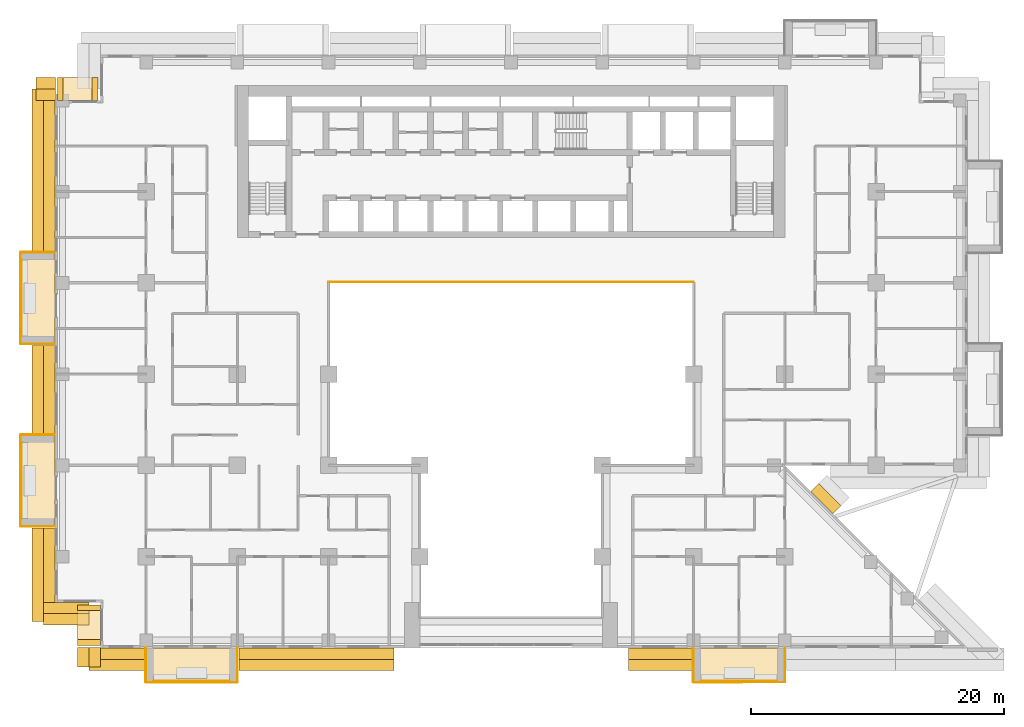
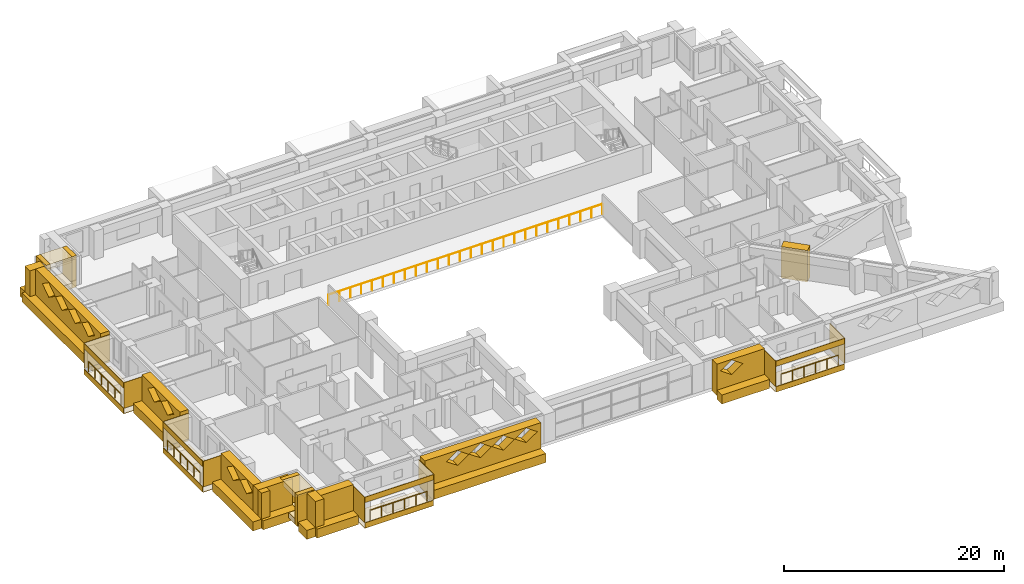
# One storey, part 14 of 17: 47 coverings, 5 railings.
"""IFC4 building model written with IfcOpenShell, lengths in metres."""

from ifc_helpers import new_model, si_unit, direction, frame, origin, origin_2d, place, context, subcontext, project, spatial, polyline, circle, outline, extrude, material, layer, layer_set, type_object, element, save


model = new_model("IFC4")

# Units and contexts
model_context = context("Model", 3, precision=1e-05, world=origin(), true_north=direction((0.0, 1.0)))
body_context = subcontext(model_context, "Body", "Model", "MODEL_VIEW")
ifc_project = project(units=[si_unit("LENGTHUNIT", "METRE"), si_unit("AREAUNIT", "SQUARE_METRE"), si_unit("VOLUMEUNIT", "CUBIC_METRE"), si_unit("PLANEANGLEUNIT", "RADIAN"), si_unit("MASSUNIT", "GRAM", prefix="KILO")], contexts=[model_context])

# Site, building, storey
site_placement = place(None, origin())
site = spatial("IfcSite", under=ifc_project, at=site_placement, CompositionType="ELEMENT")
building_placement = place(site_placement, origin())
building = spatial("IfcBuilding", under=site, at=building_placement, Name="Saffron Iwan Residences", CompositionType="ELEMENT")
storey_placement = place(building_placement, frame((0.0, 0.0, 72.5)))
storey = spatial("IfcBuildingStorey", under=building, at=storey_placement, Name="L18", CompositionType="ELEMENT", Elevation=72.5)

# Railings
ifc_material_1 = material(Name="Stainless steel 316", Category="steel")
railing_type_1 = type_object("IfcRailingType", Name="Atrium guard 1150", PredefinedType="GUARDRAIL", material=ifc_material_1)
railing_placement = place(storey_placement, frame((36.0, 62.47509765625, 0.0)))
element("IfcRailing", 1, at=railing_placement, inside=storey, type_object=railing_type_1, Name="Atrium guard L18", PredefinedType="GUARDRAIL", context=body_context, shape_type="SweptSolid", body=[
    extrude(circle(Radius=0.02392578125, at=origin_2d()), frame((0.0, 0.0, 1.1259765625), z_axis=(1.0, 0.0, 0.0), x_axis=(0.0, 1.0, 0.0)), (0.0, 0.0, 1.0), 28.800048828125),
    extrude(circle(Radius=0.02099609375, at=origin_2d()), origin(), (0.0, 0.0, 1.0), 1.101806640625),
    extrude(circle(Radius=0.02099609375, at=origin_2d()), frame((1.152099609375, 0.0, 0.0)), (0.0, 0.0, 1.0), 1.101806640625),
    extrude(circle(Radius=0.02099609375, at=origin_2d()), frame((2.303955078125, 0.0, 0.0)), (0.0, 0.0, 1.0), 1.101806640625),
    extrude(circle(Radius=0.02099609375, at=origin_2d()), frame((3.4560546875, 0.0, 0.0)), (0.0, 0.0, 1.0), 1.101806640625),
    extrude(circle(Radius=0.02099609375, at=origin_2d()), frame((4.60791015625, 0.0, 0.0)), (0.0, 0.0, 1.0), 1.101806640625),
    extrude(circle(Radius=0.02099609375, at=origin_2d()), frame((5.760009765625, 0.0, 0.0)), (0.0, 0.0, 1.0), 1.101806640625),
    extrude(circle(Radius=0.02099609375, at=origin_2d()), frame((6.912109375, 0.0, 0.0)), (0.0, 0.0, 1.0), 1.101806640625),
    extrude(circle(Radius=0.02099609375, at=origin_2d()), frame((8.06396484375, 0.0, 0.0)), (0.0, 0.0, 1.0), 1.101806640625),
    extrude(circle(Radius=0.02099609375, at=origin_2d()), frame((9.216064453125, 0.0, 0.0)), (0.0, 0.0, 1.0), 1.101806640625),
    extrude(circle(Radius=0.02099609375, at=origin_2d()), frame((10.367919921875, 0.0, 0.0)), (0.0, 0.0, 1.0), 1.101806640625),
    extrude(circle(Radius=0.02099609375, at=origin_2d()), frame((11.52001953125, 0.0, 0.0)), (0.0, 0.0, 1.0), 1.101806640625),
    extrude(circle(Radius=0.02099609375, at=origin_2d()), frame((12.672119140625, 0.0, 0.0)), (0.0, 0.0, 1.0), 1.101806640625),
    extrude(circle(Radius=0.02099609375, at=origin_2d()), frame((13.823974609375, 0.0, 0.0)), (0.0, 0.0, 1.0), 1.101806640625),
    extrude(circle(Radius=0.02099609375, at=origin_2d()), frame((14.97607421875, 0.0, 0.0)), (0.0, 0.0, 1.0), 1.101806640625),
    extrude(circle(Radius=0.02099609375, at=origin_2d()), frame((16.1279296875, 0.0, 0.0)), (0.0, 0.0, 1.0), 1.101806640625),
    extrude(circle(Radius=0.02099609375, at=origin_2d()), frame((17.280029296875, 0.0, 0.0)), (0.0, 0.0, 1.0), 1.101806640625),
    extrude(circle(Radius=0.02099609375, at=origin_2d()), frame((18.43212890625, 0.0, 0.0)), (0.0, 0.0, 1.0), 1.101806640625),
    extrude(circle(Radius=0.02099609375, at=origin_2d()), frame((19.583984375, 0.0, 0.0)), (0.0, 0.0, 1.0), 1.101806640625),
    extrude(circle(Radius=0.02099609375, at=origin_2d()), frame((20.736083984375, 0.0, 0.0)), (0.0, 0.0, 1.0), 1.101806640625),
    extrude(circle(Radius=0.02099609375, at=origin_2d()), frame((21.887939453125, 0.0, 0.0)), (0.0, 0.0, 1.0), 1.101806640625),
    extrude(circle(Radius=0.02099609375, at=origin_2d()), frame((23.0400390625, 0.0, 0.0)), (0.0, 0.0, 1.0), 1.101806640625),
    extrude(circle(Radius=0.02099609375, at=origin_2d()), frame((24.192138671875, 0.0, 0.0)), (0.0, 0.0, 1.0), 1.101806640625),
    extrude(circle(Radius=0.02099609375, at=origin_2d()), frame((25.343994140625, 0.0, 0.0)), (0.0, 0.0, 1.0), 1.101806640625),
    extrude(circle(Radius=0.02099609375, at=origin_2d()), frame((26.49609375, 0.0, 0.0)), (0.0, 0.0, 1.0), 1.101806640625),
    extrude(circle(Radius=0.02099609375, at=origin_2d()), frame((27.64794921875, 0.0, 0.0)), (0.0, 0.0, 1.0), 1.101806640625),
    extrude(circle(Radius=0.02099609375, at=origin_2d()), frame((28.800048828125, 0.0, 0.0)), (0.0, 0.0, 1.0), 1.101806640625),
])
railing_type_2 = type_object("IfcRailingType", Name="BALCONY GUARD 1150", PredefinedType="GUARDRAIL", material=ifc_material_1)
for number, where, name in (
    (2, (11.77490234375, 64.199951171875, 0.0), "Balcony guard L18 F8-0"),
    (3, (11.77490234375, 49.800048828125, 0.0), "Balcony guard L18 F8-1"),
):
    element("IfcRailing", number, at=place(storey_placement, frame(where)), inside=storey, type_object=railing_type_2, Name=name, PredefinedType="GUARDRAIL", context=body_context, shape_type="SweptSolid", body=[
        extrude(circle(Radius=0.02392578125, at=origin_2d()), frame((0.0, 0.0, 1.1259765625), z_axis=(0.0, -1.0, 0.0), x_axis=(1.0, 0.0, 0.0)), (0.0, 0.0, 1.0), 6.0),
        extrude(circle(Radius=0.02099609375, at=origin_2d()), origin(), (0.0, 0.0, 1.0), 1.101806640625),
        extrude(circle(Radius=0.02099609375, at=origin_2d()), frame((0.0, -1.199951171875, 0.0)), (0.0, 0.0, 1.0), 1.101806640625),
        extrude(circle(Radius=0.02099609375, at=origin_2d()), frame((0.0, -2.39990234375, 0.0)), (0.0, 0.0, 1.0), 1.101806640625),
        extrude(circle(Radius=0.02099609375, at=origin_2d()), frame((0.0, -3.60009765625, 0.0)), (0.0, 0.0, 1.0), 1.101806640625),
        extrude(circle(Radius=0.02099609375, at=origin_2d()), frame((0.0, -4.800048828125, 0.0)), (0.0, 0.0, 1.0), 1.101806640625),
        extrude(circle(Radius=0.02099609375, at=origin_2d()), frame((0.0, -6.0, 0.0)), (0.0, 0.0, 1.0), 1.101806640625),
    ])
for number, where, name in (
    (4, (22.199951171875, 30.97509765625, 0.0), "Balcony guard L18 11-0"),
    (5, (65.39990234375, 30.97509765625, 0.0), "Balcony guard L18 11-1"),
):
    element("IfcRailing", number, at=place(storey_placement, frame(where)), inside=storey, type_object=railing_type_2, Name=name, PredefinedType="GUARDRAIL", context=body_context, shape_type="SweptSolid", body=[
        extrude(circle(Radius=0.02392578125, at=origin_2d()), frame((0.0, 0.0, 1.1259765625), z_axis=(1.0, 0.0, 0.0), x_axis=(0.0, 1.0, 0.0)), (0.0, 0.0, 1.0), 6.0),
        extrude(circle(Radius=0.02099609375, at=origin_2d()), origin(), (0.0, 0.0, 1.0), 1.101806640625),
        extrude(circle(Radius=0.02099609375, at=origin_2d()), frame((1.199951171875, 0.0, 0.0)), (0.0, 0.0, 1.0), 1.101806640625),
        extrude(circle(Radius=0.02099609375, at=origin_2d()), frame((2.39990234375, 0.0, 0.0)), (0.0, 0.0, 1.0), 1.101806640625),
        extrude(circle(Radius=0.02099609375, at=origin_2d()), frame((3.60009765625, 0.0, 0.0)), (0.0, 0.0, 1.0), 1.101806640625),
        extrude(circle(Radius=0.02099609375, at=origin_2d()), frame((4.800048828125, 0.0, 0.0)), (0.0, 0.0, 1.0), 1.101806640625),
        extrude(circle(Radius=0.02099609375, at=origin_2d()), frame((6.0, 0.0, 0.0)), (0.0, 0.0, 1.0), 1.101806640625),
    ])

# Coverings
ifc_material_2 = material(Name="Precast concrete C40/50 white painted", Category="concrete")
ifc_layer_1 = layer(ifc_material_2, 0.050048828125)
ifc_layer_set_1 = layer_set([ifc_layer_1], Name="Precast concrete C40/50 white painted")
covering_type_1 = type_object("IfcCoveringType", Name="FRAME SKIN PRECAST WHITE 50", PredefinedType="CLADDING", material=ifc_layer_set_1)
for number, where, name in (
    (6, (0.0, 0.0, -0.60009765625), "Frame skin slab edge L18 F8-0"),
    (7, (0.0, 0.0, 2.25), "Frame skin fascia L18 F8-0"),
):
    element("IfcCovering", number, at=place(storey_placement, frame(where)), inside=storey, type_object=covering_type_1, Name=name, PredefinedType="CLADDING", context=body_context, shape_type="SweptSolid", body=[
        extrude(outline(polyline([(11.64990234375, 64.800048828125), (11.64990234375, 57.60009765625), (11.699951171875, 57.60009765625), (11.699951171875, 64.800048828125), (11.64990234375, 64.800048828125)])), origin(), (0.0, 0.0, 1.0), 0.60009765625),
    ])
covering_1_placement = place(storey_placement, frame((0.0, 0.0, -0.64990234375)))
element("IfcCovering", 8, at=covering_1_placement, inside=storey, type_object=covering_type_1, Name="Frame skin soffit L18 F8-0", PredefinedType="CLADDING", context=body_context, shape_type="SweptSolid", body=[
    extrude(outline(polyline([(11.699951171875, 64.800048828125), (11.699951171875, 57.60009765625), (14.39990234375, 57.60009765625), (14.39990234375, 64.800048828125), (11.699951171875, 64.800048828125)])), origin(), (0.0, 0.0, 1.0), 0.0498046875),
])
covering_2_placement = place(storey_placement, origin())
element("IfcCovering", 9, at=covering_2_placement, inside=storey, type_object=covering_type_1, Name="Frame skin fin L18 F8-0a", PredefinedType="CLADDING", context=body_context, shape_type="SweptSolid", body=[
    extrude(outline(polyline([(11.699951171875, 64.85009765625), (11.699951171875, 64.800048828125), (14.39990234375, 64.800048828125), (14.39990234375, 64.85009765625), (11.699951171875, 64.85009765625)])), origin(), (0.0, 0.0, 1.0), 2.85009765625),
])
covering_3_placement = place(storey_placement, origin())
element("IfcCovering", 10, at=covering_3_placement, inside=storey, type_object=covering_type_1, Name="Frame skin fin L18 F8-0b", PredefinedType="CLADDING", context=body_context, shape_type="SweptSolid", body=[
    extrude(outline(polyline([(11.699951171875, 57.60009765625), (11.699951171875, 57.550048828125), (14.39990234375, 57.550048828125), (14.39990234375, 57.60009765625), (11.699951171875, 57.60009765625)])), origin(), (0.0, 0.0, 1.0), 2.85009765625),
])
for number, where, name in (
    (11, (0.0, 0.0, -0.60009765625), "Frame skin slab edge L18 F8-1"),
    (12, (0.0, 0.0, 2.25), "Frame skin fascia L18 F8-1"),
):
    element("IfcCovering", number, at=place(storey_placement, frame(where)), inside=storey, type_object=covering_type_1, Name=name, PredefinedType="CLADDING", context=body_context, shape_type="SweptSolid", body=[
        extrude(outline(polyline([(11.64990234375, 50.39990234375), (11.64990234375, 43.199951171875), (11.699951171875, 43.199951171875), (11.699951171875, 50.39990234375), (11.64990234375, 50.39990234375)])), origin(), (0.0, 0.0, 1.0), 0.60009765625),
    ])
covering_4_placement = place(storey_placement, frame((0.0, 0.0, -0.64990234375)))
element("IfcCovering", 13, at=covering_4_placement, inside=storey, type_object=covering_type_1, Name="Frame skin soffit L18 F8-1", PredefinedType="CLADDING", context=body_context, shape_type="SweptSolid", body=[
    extrude(outline(polyline([(11.699951171875, 50.39990234375), (11.699951171875, 43.199951171875), (14.39990234375, 43.199951171875), (14.39990234375, 50.39990234375), (11.699951171875, 50.39990234375)])), origin(), (0.0, 0.0, 1.0), 0.0498046875),
])
covering_5_placement = place(storey_placement, origin())
element("IfcCovering", 14, at=covering_5_placement, inside=storey, type_object=covering_type_1, Name="Frame skin fin L18 F8-1a", PredefinedType="CLADDING", context=body_context, shape_type="SweptSolid", body=[
    extrude(outline(polyline([(11.699951171875, 50.449951171875), (11.699951171875, 50.39990234375), (14.39990234375, 50.39990234375), (14.39990234375, 50.449951171875), (11.699951171875, 50.449951171875)])), origin(), (0.0, 0.0, 1.0), 2.85009765625),
])
covering_6_placement = place(storey_placement, origin())
element("IfcCovering", 15, at=covering_6_placement, inside=storey, type_object=covering_type_1, Name="Frame skin fin L18 F8-1b", PredefinedType="CLADDING", context=body_context, shape_type="SweptSolid", body=[
    extrude(outline(polyline([(11.699951171875, 43.199951171875), (11.699951171875, 43.14990234375), (14.39990234375, 43.14990234375), (14.39990234375, 43.199951171875), (11.699951171875, 43.199951171875)])), origin(), (0.0, 0.0, 1.0), 2.85009765625),
])
for number, where, name in (
    (16, (0.0, 0.0, -0.60009765625), "Frame skin slab edge L18 11-0"),
    (17, (0.0, 0.0, 2.25), "Frame skin fascia L18 11-0"),
):
    element("IfcCovering", number, at=place(storey_placement, frame(where)), inside=storey, type_object=covering_type_1, Name=name, PredefinedType="CLADDING", context=body_context, shape_type="SweptSolid", body=[
        extrude(outline(polyline([(21.60009765625, 30.85009765625), (28.800048828125, 30.85009765625), (28.800048828125, 30.89990234375), (21.60009765625, 30.89990234375), (21.60009765625, 30.85009765625)])), origin(), (0.0, 0.0, 1.0), 0.60009765625),
    ])
covering_7_placement = place(storey_placement, frame((0.0, 0.0, -0.64990234375)))
element("IfcCovering", 18, at=covering_7_placement, inside=storey, type_object=covering_type_1, Name="Frame skin soffit L18 11-0", PredefinedType="CLADDING", context=body_context, shape_type="SweptSolid", body=[
    extrude(outline(polyline([(21.60009765625, 30.89990234375), (28.800048828125, 30.89990234375), (28.800048828125, 33.60009765625), (21.60009765625, 33.60009765625), (21.60009765625, 30.89990234375)])), origin(), (0.0, 0.0, 1.0), 0.0498046875),
])
covering_8_placement = place(storey_placement, origin())
element("IfcCovering", 19, at=covering_8_placement, inside=storey, type_object=covering_type_1, Name="Frame skin fin L18 11-0a", PredefinedType="CLADDING", context=body_context, shape_type="SweptSolid", body=[
    extrude(outline(polyline([(21.550048828125, 30.89990234375), (21.60009765625, 30.89990234375), (21.60009765625, 33.60009765625), (21.550048828125, 33.60009765625), (21.550048828125, 30.89990234375)])), origin(), (0.0, 0.0, 1.0), 2.85009765625),
])
covering_9_placement = place(storey_placement, origin())
element("IfcCovering", 20, at=covering_9_placement, inside=storey, type_object=covering_type_1, Name="Frame skin fin L18 11-0b", PredefinedType="CLADDING", context=body_context, shape_type="SweptSolid", body=[
    extrude(outline(polyline([(28.800048828125, 30.89990234375), (28.85009765625, 30.89990234375), (28.85009765625, 33.60009765625), (28.800048828125, 33.60009765625), (28.800048828125, 30.89990234375)])), origin(), (0.0, 0.0, 1.0), 2.85009765625),
])
for number, where, name in (
    (21, (0.0, 0.0, -0.60009765625), "Frame skin slab edge L18 11-1"),
    (22, (0.0, 0.0, 2.25), "Frame skin fascia L18 11-1"),
):
    element("IfcCovering", number, at=place(storey_placement, frame(where)), inside=storey, type_object=covering_type_1, Name=name, PredefinedType="CLADDING", context=body_context, shape_type="SweptSolid", body=[
        extrude(outline(polyline([(64.800048828125, 30.85009765625), (72.0, 30.85009765625), (72.0, 30.89990234375), (64.800048828125, 30.89990234375), (64.800048828125, 30.85009765625)])), origin(), (0.0, 0.0, 1.0), 0.60009765625),
    ])
covering_10_placement = place(storey_placement, frame((0.0, 0.0, -0.64990234375)))
element("IfcCovering", 23, at=covering_10_placement, inside=storey, type_object=covering_type_1, Name="Frame skin soffit L18 11-1", PredefinedType="CLADDING", context=body_context, shape_type="SweptSolid", body=[
    extrude(outline(polyline([(64.800048828125, 30.89990234375), (72.0, 30.89990234375), (72.0, 33.60009765625), (64.800048828125, 33.60009765625), (64.800048828125, 30.89990234375)])), origin(), (0.0, 0.0, 1.0), 0.0498046875),
])
covering_11_placement = place(storey_placement, origin())
element("IfcCovering", 24, at=covering_11_placement, inside=storey, type_object=covering_type_1, Name="Frame skin fin L18 11-1a", PredefinedType="CLADDING", context=body_context, shape_type="SweptSolid", body=[
    extrude(outline(polyline([(64.75, 30.89990234375), (64.800048828125, 30.89990234375), (64.800048828125, 33.60009765625), (64.75, 33.60009765625), (64.75, 30.89990234375)])), origin(), (0.0, 0.0, 1.0), 2.85009765625),
])
covering_12_placement = place(storey_placement, origin())
element("IfcCovering", 25, at=covering_12_placement, inside=storey, type_object=covering_type_1, Name="Frame skin fin L18 11-1b", PredefinedType="CLADDING", context=body_context, shape_type="SweptSolid", body=[
    extrude(outline(polyline([(72.0, 30.89990234375), (72.050048828125, 30.89990234375), (72.050048828125, 33.60009765625), (72.0, 33.60009765625), (72.0, 30.89990234375)])), origin(), (0.0, 0.0, 1.0), 2.85009765625),
])
ifc_material_3 = material(Name="Precast concrete C40/50", Category="concrete")
covering_type_2 = type_object("IfcCoveringType", Name="OUTER SKIN LATTICE SCREEN", PredefinedType="CLADDING", material=ifc_material_3)
covering_13_placement = place(storey_placement, frame((75.805908203125, 44.194091796875, -0.320068359375), z_axis=(0.707106781187, 0.707106781187, 0.0), x_axis=(-0.707106781187, 0.707106781187, 0.0)))
element("IfcCovering", 26, at=covering_13_placement, inside=storey, type_object=covering_type_2, Name="OUTER SKIN lattice screen L18 F0.1", PredefinedType="CLADDING", context=body_context, shape_type="SweptSolid", body=[
    extrude(outline(polyline([(0.0, 0.0), (2.4853515625, 0.0), (2.4853515625, 3.5), (0.0, 3.5), (0.0, 0.0)])), origin(), (0.0, 0.0, 1.0), 0.900146484375),
])
covering_14_placement = place(storey_placement, frame((14.449951171875, 76.800048828125, -0.320068359375), z_axis=(0.0, 1.0, 0.0), x_axis=(-1.0, 0.0, 0.0)))
element("IfcCovering", 27, at=covering_14_placement, inside=storey, type_object=covering_type_2, Name="OUTER SKIN lattice screen L18 F7.0", PredefinedType="CLADDING", context=body_context, shape_type="SweptSolid", body=[
    extrude(outline(polyline([(0.0, 0.0), (1.550048828125, 0.0), (1.550048828125, 3.5), (0.0, 3.5), (0.0, 0.0)])), origin(), (0.0, 0.0, 1.0), 0.89990234375),
])
covering_15_placement = place(storey_placement, frame((14.39990234375, 77.699951171875, -0.320068359375), z_axis=(-1.0, 0.0, 0.0), x_axis=(0.0, -1.0, 0.0)))
element("IfcCovering", 28, at=covering_15_placement, inside=storey, type_object=covering_type_2, Name="OUTER SKIN lattice screen L18 F8.0", PredefinedType="CLADDING", context=body_context, shape_type="SweptSolid", body=[
    extrude(outline(polyline([(0.0, 0.0), (12.75, 0.0), (12.75, 3.5), (0.0, 3.5), (0.0, 0.0)]), holes=[polyline([(2.1201171875, 2.625), (3.300048828125, 1.81005859375), (4.47998046875, 2.625), (3.300048828125, 3.43994140625), (2.1201171875, 2.625)]), polyline([(4.52001953125, 2.625), (5.699951171875, 1.81005859375), (6.8798828125, 2.625), (5.699951171875, 3.43994140625), (4.52001953125, 2.625)]), polyline([(6.919921875, 2.625), (8.10009765625, 1.81005859375), (9.280029296875, 2.625), (8.10009765625, 3.43994140625), (6.919921875, 2.625)]), polyline([(9.320068359375, 2.625), (10.5, 1.81005859375), (11.679931640625, 2.625), (10.5, 3.43994140625), (9.320068359375, 2.625)])]), origin(), (0.0, 0.0, 1.0), 0.89990234375),
])
covering_16_placement = place(storey_placement, frame((14.39990234375, 57.449951171875, -0.320068359375), z_axis=(-1.0, 0.0, 0.0), x_axis=(0.0, -1.0, 0.0)))
element("IfcCovering", 29, at=covering_16_placement, inside=storey, type_object=covering_type_2, Name="OUTER SKIN lattice screen L18 F8.1", PredefinedType="CLADDING", context=body_context, shape_type="SweptSolid", body=[
    extrude(outline(polyline([(0.0, 0.0), (6.89990234375, 0.0), (6.89990234375, 3.5), (0.0, 3.5), (0.0, 0.0)]), holes=[polyline([(1.070068359375, 2.625), (2.25, 1.81005859375), (3.429931640625, 2.625), (2.25, 3.43994140625), (1.070068359375, 2.625)]), polyline([(3.469970703125, 2.625), (4.64990234375, 1.81005859375), (5.830078125, 2.625), (4.64990234375, 3.43994140625), (3.469970703125, 2.625)])]), origin(), (0.0, 0.0, 1.0), 0.89990234375),
])
covering_17_placement = place(storey_placement, frame((14.39990234375, 43.050048828125, -0.320068359375), z_axis=(-1.0, 0.0, 0.0), x_axis=(0.0, -1.0, 0.0)))
element("IfcCovering", 30, at=covering_17_placement, inside=storey, type_object=covering_type_2, Name="OUTER SKIN lattice screen L18 F8.2", PredefinedType="CLADDING", context=body_context, shape_type="SweptSolid", body=[
    extrude(outline(polyline([(0.0, 0.0), (7.35009765625, 0.0), (7.35009765625, 3.5), (0.0, 3.5), (0.0, 0.0)]), holes=[polyline([(1.070068359375, 2.625), (2.25, 1.81005859375), (3.429931640625, 2.625), (2.25, 3.43994140625), (1.070068359375, 2.625)]), polyline([(3.469970703125, 2.625), (4.64990234375, 1.81005859375), (5.830078125, 2.625), (4.64990234375, 3.43994140625), (3.469970703125, 2.625)])]), origin(), (0.0, 0.0, 1.0), 0.89990234375),
])
covering_18_placement = place(storey_placement, frame((13.5, 37.199951171875, -0.320068359375), z_axis=(0.0, -1.0, 0.0), x_axis=(1.0, 0.0, 0.0)))
element("IfcCovering", 31, at=covering_18_placement, inside=storey, type_object=covering_type_2, Name="OUTER SKIN lattice screen L18 F9.0", PredefinedType="CLADDING", context=body_context, shape_type="SweptSolid", body=[
    extrude(outline(polyline([(0.0, 0.0), (3.60009765625, 0.0), (3.60009765625, 3.5), (0.0, 3.5), (0.0, 0.0)])), origin(), (0.0, 0.0, 1.0), 0.89990234375),
])
covering_19_placement = place(storey_placement, frame((18.0, 33.64990234375, -0.320068359375), z_axis=(-1.0, 0.0, 0.0), x_axis=(0.0, -1.0, 0.0)))
element("IfcCovering", 32, at=covering_19_placement, inside=storey, type_object=covering_type_2, Name="OUTER SKIN lattice screen L18 F10.0", PredefinedType="CLADDING", context=body_context, shape_type="SweptSolid", body=[
    extrude(outline(polyline([(0.0, 0.0), (1.550048828125, 0.0), (1.550048828125, 3.5), (0.0, 3.5), (0.0, 0.0)])), origin(), (0.0, 0.0, 1.0), 0.89990234375),
])
covering_20_placement = place(storey_placement, frame((17.10009765625, 33.60009765625, -0.320068359375), z_axis=(0.0, -1.0, 0.0), x_axis=(1.0, 0.0, 0.0)))
element("IfcCovering", 33, at=covering_20_placement, inside=storey, type_object=covering_type_2, Name="OUTER SKIN lattice screen L18 F11.0", PredefinedType="CLADDING", context=body_context, shape_type="SweptSolid", body=[
    extrude(outline(polyline([(0.0, 0.0), (4.35009765625, 0.0), (4.35009765625, 3.5), (0.0, 3.5), (0.0, 0.0)])), origin(), (0.0, 0.0, 1.0), 0.900146484375),
])
covering_21_placement = place(storey_placement, frame((28.949951171875, 33.60009765625, -0.320068359375), z_axis=(0.0, -1.0, 0.0), x_axis=(1.0, 0.0, 0.0)))
element("IfcCovering", 34, at=covering_21_placement, inside=storey, type_object=covering_type_2, Name="OUTER SKIN lattice screen L18 F11.1", PredefinedType="CLADDING", context=body_context, shape_type="SweptSolid", body=[
    extrude(outline(polyline([(0.0, 0.0), (12.199951171875, 0.0), (12.199951171875, 3.5), (0.0, 3.5), (0.0, 0.0)]), holes=[polyline([(2.27001953125, 2.625), (3.449951171875, 1.81005859375), (4.6298828125, 2.625), (3.449951171875, 3.43994140625), (2.27001953125, 2.625)]), polyline([(4.669921875, 2.625), (5.85009765625, 1.81005859375), (7.030029296875, 2.625), (5.85009765625, 3.43994140625), (4.669921875, 2.625)]), polyline([(7.070068359375, 2.625), (8.25, 1.81005859375), (9.429931640625, 2.625), (8.25, 3.43994140625), (7.070068359375, 2.625)]), polyline([(9.469970703125, 2.625), (10.64990234375, 1.81005859375), (11.830078125, 2.625), (10.64990234375, 3.43994140625), (9.469970703125, 2.625)])]), origin(), (0.0, 0.0, 1.0), 0.900146484375),
])
covering_22_placement = place(storey_placement, frame((59.64990234375, 33.60009765625, -0.320068359375), z_axis=(0.0, -1.0, 0.0), x_axis=(1.0, 0.0, 0.0)))
element("IfcCovering", 35, at=covering_22_placement, inside=storey, type_object=covering_type_2, Name="OUTER SKIN lattice screen L18 F11.2", PredefinedType="CLADDING", context=body_context, shape_type="SweptSolid", body=[
    extrude(outline(polyline([(0.0, 0.0), (5.0, 0.0), (5.0, 3.5), (0.0, 3.5), (0.0, 0.0)]), holes=[polyline([(0.3701171875, 2.625), (1.550048828125, 1.81005859375), (2.72998046875, 2.625), (1.550048828125, 3.43994140625), (0.3701171875, 2.625)])]), origin(), (0.0, 0.0, 1.0), 0.900146484375),
])
ifc_layer_2 = layer(ifc_material_2, 0.89990234375)
ifc_layer_set_2 = layer_set([ifc_layer_2], Name="Precast concrete C40/50 white painted")
covering_type_3 = type_object("IfcCoveringType", Name="WHITE EDGE BAND 900 x 1000", PredefinedType="CLADDING", material=ifc_layer_set_2)
covering_23_placement = place(storey_placement, frame((0.0, 0.0, -0.699951171875)))
element("IfcCovering", 36, at=covering_23_placement, inside=storey, type_object=covering_type_3, Name="White edge band L18 F7.0", PredefinedType="CLADDING", context=body_context, shape_type="SweptSolid", body=[
    extrude(outline(polyline([(14.449951171875, 78.60009765625), (12.89990234375, 78.60009765625), (12.89990234375, 77.699951171875), (14.449951171875, 77.699951171875), (14.449951171875, 78.60009765625)])), origin(), (0.0, 0.0, 1.0), 1.0),
])
covering_24_placement = place(storey_placement, frame((0.0, 0.0, -0.699951171875)))
element("IfcCovering", 37, at=covering_24_placement, inside=storey, type_object=covering_type_3, Name="White edge band L18 F8.0", PredefinedType="CLADDING", context=body_context, shape_type="SweptSolid", body=[
    extrude(outline(polyline([(12.60009765625, 77.699951171875), (12.60009765625, 64.949951171875), (13.5, 64.949951171875), (13.5, 77.699951171875), (12.60009765625, 77.699951171875)])), origin(), (0.0, 0.0, 1.0), 1.0),
])
covering_25_placement = place(storey_placement, frame((0.0, 0.0, -0.699951171875)))
element("IfcCovering", 38, at=covering_25_placement, inside=storey, type_object=covering_type_3, Name="White edge band L18 F8.1", PredefinedType="CLADDING", context=body_context, shape_type="SweptSolid", body=[
    extrude(outline(polyline([(12.60009765625, 57.449951171875), (12.60009765625, 50.550048828125), (13.5, 50.550048828125), (13.5, 57.449951171875), (12.60009765625, 57.449951171875)])), origin(), (0.0, 0.0, 1.0), 1.0),
])
covering_26_placement = place(storey_placement, frame((0.0, 0.0, -0.699951171875)))
element("IfcCovering", 39, at=covering_26_placement, inside=storey, type_object=covering_type_3, Name="White edge band L18 F8.2", PredefinedType="CLADDING", context=body_context, shape_type="SweptSolid", body=[
    extrude(outline(polyline([(12.60009765625, 43.050048828125), (12.60009765625, 35.699951171875), (13.5, 35.699951171875), (13.5, 43.050048828125), (12.60009765625, 43.050048828125)])), origin(), (0.0, 0.0, 1.0), 1.0),
])
covering_27_placement = place(storey_placement, frame((0.0, 0.0, -0.699951171875)))
element("IfcCovering", 40, at=covering_27_placement, inside=storey, type_object=covering_type_3, Name="White edge band L18 F9.0", PredefinedType="CLADDING", context=body_context, shape_type="SweptSolid", body=[
    extrude(outline(polyline([(13.5, 35.39990234375), (17.10009765625, 35.39990234375), (17.10009765625, 36.300048828125), (13.5, 36.300048828125), (13.5, 35.39990234375)])), origin(), (0.0, 0.0, 1.0), 1.0),
])
covering_28_placement = place(storey_placement, frame((0.0, 0.0, -0.699951171875)))
element("IfcCovering", 41, at=covering_28_placement, inside=storey, type_object=covering_type_3, Name="White edge band L18 F10.0", PredefinedType="CLADDING", context=body_context, shape_type="SweptSolid", body=[
    extrude(outline(polyline([(16.199951171875, 33.64990234375), (16.199951171875, 32.10009765625), (17.10009765625, 32.10009765625), (17.10009765625, 33.64990234375), (16.199951171875, 33.64990234375)])), origin(), (0.0, 0.0, 1.0), 1.0),
])
covering_29_placement = place(storey_placement, frame((0.0, 0.0, -0.699951171875)))
element("IfcCovering", 42, at=covering_29_placement, inside=storey, type_object=covering_type_3, Name="White edge band L18 F11.0", PredefinedType="CLADDING", context=body_context, shape_type="SweptSolid", body=[
    extrude(outline(polyline([(17.10009765625, 31.800048828125), (21.449951171875, 31.800048828125), (21.449951171875, 32.699951171875), (17.10009765625, 32.699951171875), (17.10009765625, 31.800048828125)])), origin(), (0.0, 0.0, 1.0), 1.0),
])
covering_30_placement = place(storey_placement, frame((0.0, 0.0, -0.699951171875)))
element("IfcCovering", 43, at=covering_30_placement, inside=storey, type_object=covering_type_3, Name="White edge band L18 F11.1", PredefinedType="CLADDING", context=body_context, shape_type="SweptSolid", body=[
    extrude(outline(polyline([(28.949951171875, 31.800048828125), (41.14990234375, 31.800048828125), (41.14990234375, 32.699951171875), (28.949951171875, 32.699951171875), (28.949951171875, 31.800048828125)])), origin(), (0.0, 0.0, 1.0), 1.0),
])
covering_31_placement = place(storey_placement, frame((0.0, 0.0, -0.699951171875)))
element("IfcCovering", 44, at=covering_31_placement, inside=storey, type_object=covering_type_3, Name="White edge band L18 F11.2", PredefinedType="CLADDING", context=body_context, shape_type="SweptSolid", body=[
    extrude(outline(polyline([(59.64990234375, 31.800048828125), (64.64990234375, 31.800048828125), (64.64990234375, 32.699951171875), (59.64990234375, 32.699951171875), (59.64990234375, 31.800048828125)])), origin(), (0.0, 0.0, 1.0), 1.0),
])
covering_type_4 = type_object("IfcCoveringType", Name="WHITE SUN FRAME PRECAST", PredefinedType="CLADDING", material=ifc_material_2)
for number, where, z_axis, x_axis, name in (
    (45, (17.800048828125, 76.800048828125, -0.320068359375), (0.0, 1.0, 0.0), (-1.0, 0.0, 0.0), "Sun frame L18 F7 0.2a"),
    (46, (15.050048828125, 76.800048828125, -0.320068359375), (0.0, 1.0, 0.0), (-1.0, 0.0, 0.0), "Sun frame L18 F7 0.2b"),
):
    element("IfcCovering", number, at=place(storey_placement, frame(where, z_axis=z_axis, x_axis=x_axis)), inside=storey, type_object=covering_type_4, Name=name, PredefinedType="CLADDING", context=body_context, shape_type="SweptSolid", body=[
        extrude(outline(polyline([(0.0, 0.0), (0.449951171875, 0.0), (0.449951171875, 3.5), (0.0, 3.5), (0.0, 0.0)])), origin(), (0.0, 0.0, 1.0), 1.800048828125),
    ])
for number, where, z_axis, x_axis, name in (
    (47, (17.35009765625, 76.800048828125, 2.580078125), (0.0, 1.0, 0.0), (-1.0, 0.0, 0.0), "Sun frame L18 F7 0.2h"),
    (48, (17.35009765625, 76.800048828125, -0.320068359375), (0.0, 1.0, 0.0), (-1.0, 0.0, 0.0), "Sun frame L18 F7 0.2s"),
):
    element("IfcCovering", number, at=place(storey_placement, frame(where, z_axis=z_axis, x_axis=x_axis)), inside=storey, type_object=covering_type_4, Name=name, PredefinedType="CLADDING", context=body_context, shape_type="SweptSolid", body=[
        extrude(outline(polyline([(0.0, 0.0), (2.300048828125, 0.0), (2.300048828125, 0.60009765625), (0.0, 0.60009765625), (0.0, 0.0)])), origin(), (0.0, 0.0, 1.0), 1.800048828125),
    ])
for number, where, z_axis, x_axis, name in (
    (49, (18.0, 37.0, -0.320068359375), (-1.0, 0.0, 0.0), (0.0, -1.0, 0.0), "Sun frame L18 F10 0.2a"),
    (50, (18.0, 34.25, -0.320068359375), (-1.0, 0.0, 0.0), (0.0, -1.0, 0.0), "Sun frame L18 F10 0.2b"),
):
    element("IfcCovering", number, at=place(storey_placement, frame(where, z_axis=z_axis, x_axis=x_axis)), inside=storey, type_object=covering_type_4, Name=name, PredefinedType="CLADDING", context=body_context, shape_type="SweptSolid", body=[
        extrude(outline(polyline([(0.0, 0.0), (0.449951171875, 0.0), (0.449951171875, 3.5), (0.0, 3.5), (0.0, 0.0)])), origin(), (0.0, 0.0, 1.0), 1.800048828125),
    ])
for number, where, z_axis, x_axis, name in (
    (51, (18.0, 36.550048828125, 2.580078125), (-1.0, 0.0, 0.0), (0.0, -1.0, 0.0), "Sun frame L18 F10 0.2h"),
    (52, (18.0, 36.550048828125, -0.320068359375), (-1.0, 0.0, 0.0), (0.0, -1.0, 0.0), "Sun frame L18 F10 0.2s"),
):
    element("IfcCovering", number, at=place(storey_placement, frame(where, z_axis=z_axis, x_axis=x_axis)), inside=storey, type_object=covering_type_4, Name=name, PredefinedType="CLADDING", context=body_context, shape_type="SweptSolid", body=[
        extrude(outline(polyline([(0.0, 0.0), (2.300048828125, 0.0), (2.300048828125, 0.60009765625), (0.0, 0.60009765625), (0.0, 0.0)])), origin(), (0.0, 0.0, 1.0), 1.800048828125),
    ])

save(model, "model.ifc")
